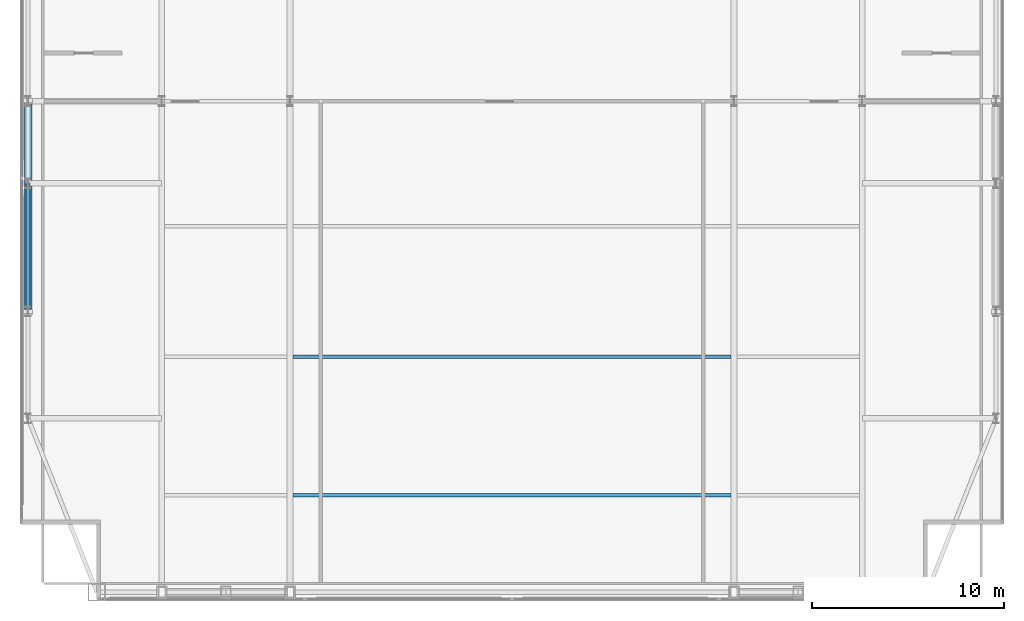
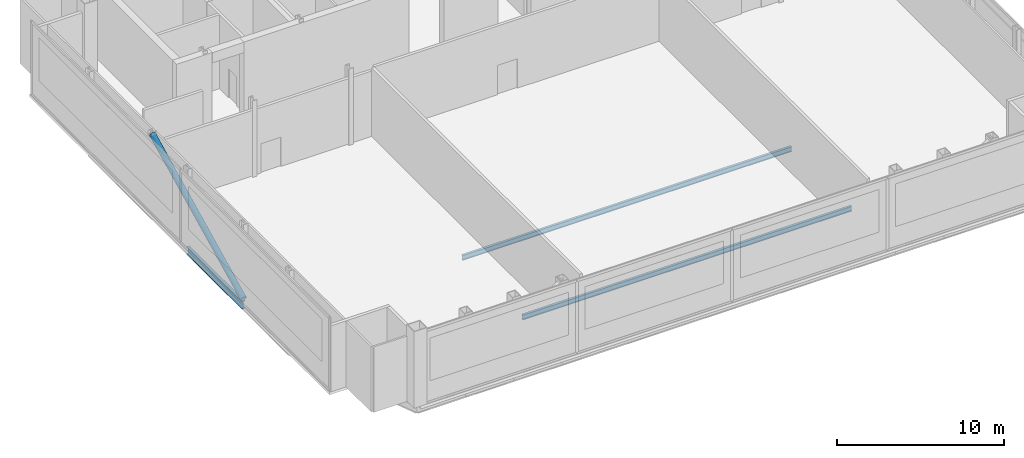
# One storey, part 7 of 22: 3 beams, 1 member.
"""IFC4 building model written with IfcOpenShell, lengths in metres."""

from ifc_helpers import new_model, si_unit, direction, frame, origin, origin_2d, place, context, subcontext, project, spatial, hollow_circle, i_section, extrude, material, material_profile, profile_set, type_object, element, save


model = new_model("IFC4")

# Units and contexts
model_context = context("Model", 3, precision=1e-05, world=origin(), true_north=direction((0.0, 1.0)))
body_context = subcontext(model_context, "Body", "Model", "MODEL_VIEW")
ifc_project = project(units=[si_unit("LENGTHUNIT", "METRE"), si_unit("AREAUNIT", "SQUARE_METRE"), si_unit("VOLUMEUNIT", "CUBIC_METRE"), si_unit("PLANEANGLEUNIT", "RADIAN"), si_unit("MASSUNIT", "GRAM", prefix="KILO")], contexts=[model_context])

# Site, building, storey
site_placement = place(None, origin())
site = spatial("IfcSite", under=ifc_project, at=site_placement, CompositionType="ELEMENT")
building_placement = place(site_placement, origin())
building = spatial("IfcBuilding", under=site, at=building_placement, Name="Khoronbel Lancet Exchange", CompositionType="ELEMENT")
storey_placement = place(building_placement, frame((0.0, 0.0, 361.800048828125)))
storey = spatial("IfcBuildingStorey", under=building, at=storey_placement, Name="L93", CompositionType="ELEMENT", Elevation=361.800048828125)

# Beams
ifc_material = material(Name="Steel S355", Category="steel")
ifc_material_profile_1 = material_profile(ifc_material, i_section(OverallWidth=0.169921875, OverallDepth=0.360107421875, WebThickness=0.008056640625, FlangeThickness=0.0126953125, at=origin_2d()), Name="IPE 360")
ifc_profile_set_1 = profile_set([ifc_material_profile_1], Name="Steel S355")
beam_type_1 = type_object("IfcBeamType", Name="BM-BJ6", PredefinedType="JOIST", material=ifc_profile_set_1)
for number, where, z_axis, x_axis, name in (
    (1, (25.050048828125, 15.199951171875, -0.380126953125), (1.0, 0.0, 0.0), (0.0, 1.0, 0.0), "Level L93 secondary composite joist J02"),
    (2, (25.050048828125, 22.39990234375, -0.380126953125), (1.0, 0.0, 0.0), (0.0, 1.0, 0.0), "Level L93 secondary composite joist J05"),
):
    element("IfcBeam", number, at=place(storey_placement, frame(where, z_axis=z_axis, x_axis=x_axis)), inside=storey, type_object=beam_type_1, Name=name, PredefinedType="JOIST", context=body_context, shape_type="SweptSolid", body=[
        extrude(i_section(OverallWidth=0.169921875, OverallDepth=0.360107421875, WebThickness=0.008056640625, FlangeThickness=0.0126953125, at=origin_2d()), origin(), (0.0, 0.0, 1.0), 22.800048828125),
    ])
ifc_material_profile_2 = material_profile(ifc_material, i_section(OverallWidth=0.2099609375, OverallDepth=0.550048828125, WebThickness=0.010986328125, FlangeThickness=0.01708984375, at=origin_2d()), Name="IPE 550")
ifc_profile_set_2 = profile_set([ifc_material_profile_2], Name="Steel S355")
beam_type_2 = type_object("IfcBeamType", Name="BM-BSP3", PredefinedType="SPANDREL", material=ifc_profile_set_2)
beam_placement = place(storey_placement, frame((11.27001953125, 31.425048828125, -0.47509765625), z_axis=(0.0, -1.0, 0.0), x_axis=(1.0, 0.0, 0.0)))
element("IfcBeam", 3, at=beam_placement, inside=storey, type_object=beam_type_2, Name="Level L93 perimeter spandrel beam SP17", PredefinedType="SPANDREL", context=body_context, shape_type="SweptSolid", body=[
    extrude(i_section(OverallWidth=0.2099609375, OverallDepth=0.550048828125, WebThickness=0.010986328125, FlangeThickness=0.01708984375, at=origin_2d()), origin(), (0.0, 0.0, 1.0), 6.675048828125),
])

# Member
ifc_material_profile_3 = material_profile(ifc_material, hollow_circle(Radius=0.203125, WallThickness=0.02001953125, at=origin_2d()), Name="CHS 406.4x20")
ifc_profile_set_3 = profile_set([ifc_material_profile_3], Name="Steel S355")
member_type = type_object("IfcMemberType", Name="MEM-STR2", PredefinedType="STRUT", material=ifc_profile_set_3)
member_placement = place(storey_placement, frame((11.27001953125, 24.75, 0.0), z_axis=(0.0, 0.8962223226, 0.443605171829), x_axis=(-1.0, 0.0, 0.0)))
element("IfcMember", 4, at=member_placement, inside=storey, type_object=member_type, Name="CROWN FRAME diagonal ring brace L93-W1", PredefinedType="STRUT", context=body_context, shape_type="SweptSolid", body=[
    extrude(hollow_circle(Radius=0.203125, WallThickness=0.02001953125, at=origin_2d()), origin(), (0.0, 0.0, 1.0), 12.218017578125),
])

save(model, "model.ifc")
